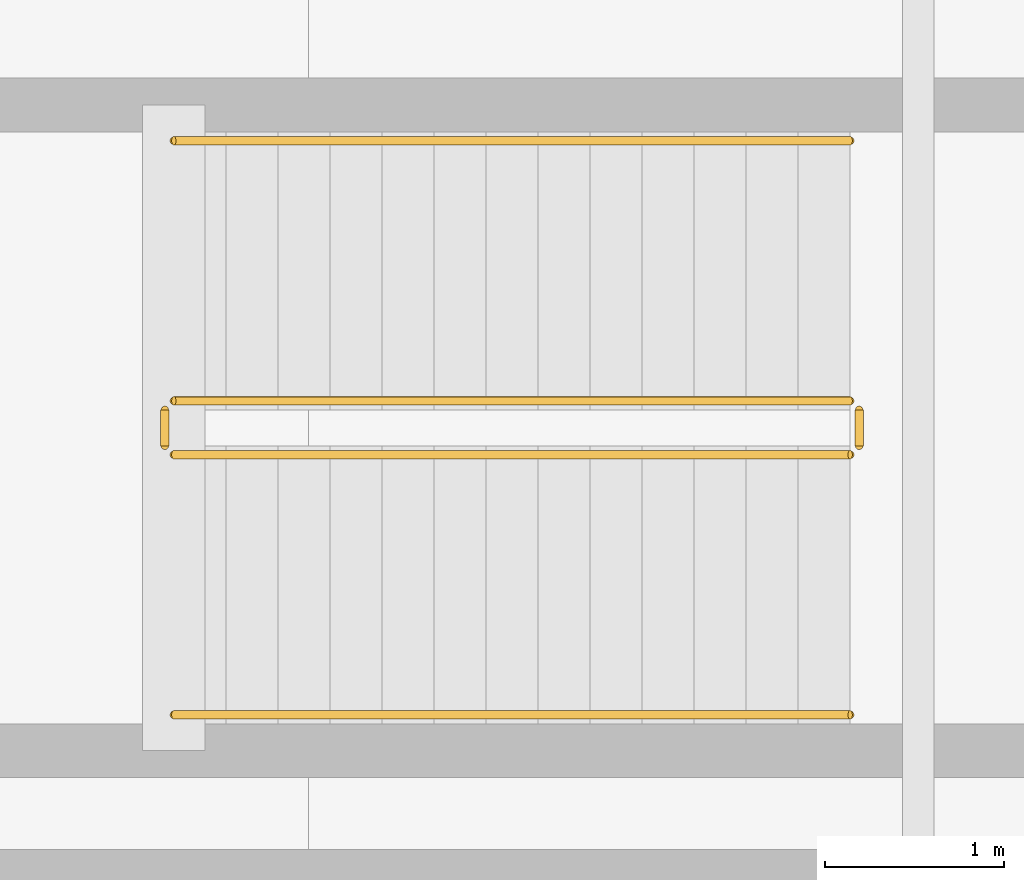
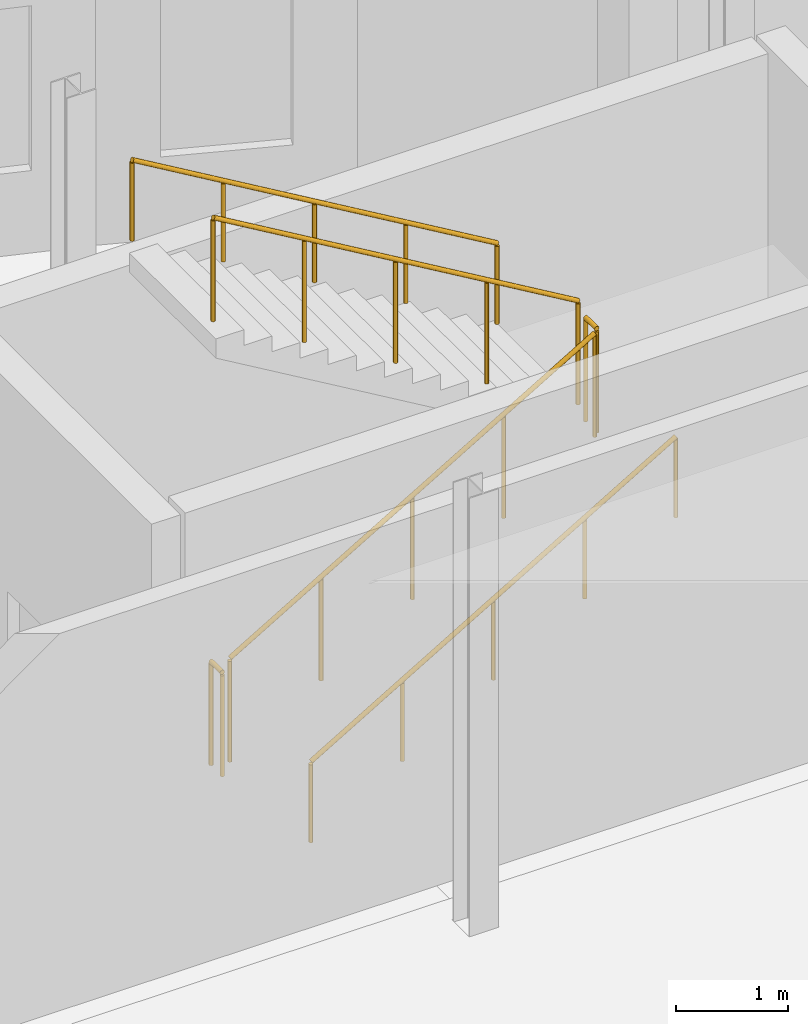
# One storey, part 87 of 97: 6 railings.
"""IFC4 building model written with IfcOpenShell, lengths in metres."""

import ifcopenshell
import ifcopenshell.guid

model = None  # the IFC model being written
_history = None  # IfcOwnerHistory: only IFC2X3 demands one
_inside = {}  # id of a spatial element -> (the spatial element, [elements in it])
_under = {}  # id of a project, library or spatial element -> (it, [spatial elements below it])
_declared = {}  # id of a project -> (the project, [libraries it declares])
_typed = {}  # id of a type object -> (the type object, [elements of that type])
_made_of = {}  # id of a material, layer set ... -> (it, [elements and type objects made of it])


def new_model(schema):
    """Start an empty IFC model of exactly this schema.

    Asked for "IFC4X3", IfcOpenShell would pick the latest addendum, in which some entities
    have other attributes; the version numbers below select the first issue.
    IFC2X3 requires an IfcOwnerHistory on every rooted entity: one is made here for all.
    """
    global model, _history
    if schema == "IFC4X3":
        model = ifcopenshell.file(schema_version=(4, 3, 0, 0))
    else:
        model = ifcopenshell.file(schema=schema)
    _inside.clear()
    _under.clear()
    _declared.clear()
    _typed.clear()
    _made_of.clear()
    _history = None
    if model.schema == "IFC2X3":
        org = make("IfcOrganization", Name="unknown")
        user = make(
            "IfcPersonAndOrganization",
            ThePerson=make("IfcPerson", FamilyName="unknown"),
            TheOrganization=org,
        )
        app = make(
            "IfcApplication",
            ApplicationDeveloper=org,
            Version="unknown",
            ApplicationFullName="unknown",
            ApplicationIdentifier="unknown",
        )
        _history = make(
            "IfcOwnerHistory",
            OwningUser=user,
            OwningApplication=app,
            ChangeAction="ADDED",
            CreationDate=0,
        )
    return model


def make(cls, **values):
    """One entity of the class cls with the attributes given. An attribute that is None is left unset."""
    return model.create_entity(
        cls, **{name: value for name, value in values.items() if value is not None}
    )


def rooted(cls, **values):
    """An entity with a GlobalId (a new one), such as an element, a storey or a relation."""
    return make(cls, GlobalId=ifcopenshell.guid.new(), OwnerHistory=_history, **values)


def si_unit(unit_type, name, prefix=None):
    """IfcSIUnit, for example si_unit("LENGTHUNIT", "METRE", prefix="MILLI")."""
    return make("IfcSIUnit", UnitType=unit_type, Prefix=prefix, Name=name)


def assignment(units):
    """IfcUnitAssignment: the units of a project."""
    return None if units is None else make("IfcUnitAssignment", Units=units)


def point(xyz):
    """IfcCartesianPoint."""
    return None if xyz is None else make("IfcCartesianPoint", Coordinates=xyz)


def direction(xyz):
    """IfcDirection."""
    return None if xyz is None else make("IfcDirection", DirectionRatios=xyz)


def frame(location, z_axis=None, x_axis=None):
    """IfcAxis2Placement3D, a coordinate frame: its origin and axes. An axis left out is left unset."""
    return make(
        "IfcAxis2Placement3D",
        Location=point(location),
        Axis=direction(z_axis),
        RefDirection=direction(x_axis),
    )


def frame_2d(location, x_axis=None):
    """IfcAxis2Placement2D, a coordinate frame in the plane: its origin and x axis."""
    return make(
        "IfcAxis2Placement2D", Location=point(location), RefDirection=direction(x_axis)
    )


def origin():
    """The frame at (0, 0, 0) with its axes left unset."""
    return frame((0.0, 0.0, 0.0))


def origin_2d():
    """The frame at (0, 0) in the plane with its x axis left unset."""
    return frame_2d((0.0, 0.0))


def place(relative_to, where):
    """IfcLocalPlacement: puts the frame where relative to a parent placement (None: the world)."""
    return make(
        "IfcLocalPlacement", PlacementRelTo=relative_to, RelativePlacement=where
    )


def context(
    kind, dimensions, precision=None, world=None, true_north=None, identifier=None
):
    """IfcGeometricRepresentationContext, for example the 3D "Model" context."""
    return make(
        "IfcGeometricRepresentationContext",
        ContextIdentifier=identifier,
        ContextType=kind,
        CoordinateSpaceDimension=dimensions,
        Precision=precision,
        WorldCoordinateSystem=world,
        TrueNorth=true_north,
    )


def subcontext(parent, identifier, kind, view, scale=None):
    """IfcGeometricRepresentationSubContext, for example "Body" below "Model"."""
    return make(
        "IfcGeometricRepresentationSubContext",
        ContextIdentifier=identifier,
        ContextType=kind,
        ParentContext=parent,
        TargetScale=scale,
        TargetView=view,
    )


def project(units=None, contexts=None):
    """IfcProject with its units and contexts."""
    return rooted(
        "IfcProject",
        Name="project",
        RepresentationContexts=contexts,
        UnitsInContext=assignment(units),
    )


def spatial(cls, under=None, at=None, **own):
    """A site, building, storey or space (cls), placed at a placement, below another one or the project."""
    s = rooted(cls, ObjectPlacement=at, **own)
    if under is not None:
        _under.setdefault(under.id(), (under, []))[1].append(s)
    return s


def profile(cls, at=None, kind="AREA", **sizes):
    """A parametric profile (cls). Its sizes go by their IFC names, for example OverallWidth=200.0."""
    return make(cls, ProfileType=kind, Position=at, **sizes)


def circle(**sizes):
    """IfcCircleProfileDef."""
    return profile("IfcCircleProfileDef", **sizes)


def extrude(swept, where, along, depth):
    """IfcExtrudedAreaSolid: the profile swept, set in the frame where, extruded along a direction by depth."""
    return make(
        "IfcExtrudedAreaSolid",
        SweptArea=swept,
        Position=where,
        ExtrudedDirection=direction(along),
        Depth=depth,
    )


def shape(context_of_items, identifier, shape_type, items):
    """IfcShapeRepresentation: the items that make up one representation, for example the "Body"."""
    return make(
        "IfcShapeRepresentation",
        ContextOfItems=context_of_items,
        RepresentationIdentifier=identifier,
        RepresentationType=shape_type,
        Items=items,
    )


def material(Name=None, Category=None):
    """IfcMaterial."""
    return make("IfcMaterial", Name=Name, Category=Category)


def made_of(thing, what):
    """Note that an element or type object is made of a material, layer set ...; save() writes the relation."""
    if what is not None:
        _made_of.setdefault(what.id(), (what, []))[1].append(thing)
    return thing


def type_object(cls, material=None, **own):
    """A type object (cls), such as IfcWallType, which elements share."""
    return made_of(rooted(cls, **own), material)


def element(
    cls,
    number,
    at=None,
    inside=None,
    cuts=None,
    type_object=None,
    material=None,
    context=None,
    identifier="Body",
    shape_type=None,
    held_by="IfcProductDefinitionShape",
    body=None,
    shapes=None,
    **own,
):
    """One element of the class cls, such as IfcWall. Its Tag is "e" and its number.

    at: its placement. inside: the storey or other place that contains it. cuts: it is an
    opening in that element (IfcRelVoidsElement). A single representation is given by context,
    identifier, shape_type and body (its items); several are given by shapes. held_by: the class
    of the entity that holds the representations. save() writes the other relations.
    """
    e = rooted(cls, Tag="e%d" % number, ObjectPlacement=at, **own)
    if body is not None:
        shapes = [shape(context, identifier, shape_type, body)]
    if shapes is not None:
        e.Representation = make(held_by, Representations=shapes)
    if inside is not None:
        _inside.setdefault(inside.id(), (inside, []))[1].append(e)
    if cuts is not None:
        rooted(
            "IfcRelVoidsElement", RelatingBuildingElement=cuts, RelatedOpeningElement=e
        )
    if type_object is not None:
        _typed.setdefault(type_object.id(), (type_object, []))[1].append(e)
    return made_of(e, material)


def aggregate(whole, parts):
    """IfcRelAggregates: a whole, such as a stair, and the parts it consists of."""
    return rooted("IfcRelAggregates", RelatingObject=whole, RelatedObjects=parts)


def save(model, path):
    """Write the relations noted so far, then the file.

    IfcRelAggregates (storeys below a building ...), IfcRelContainedInSpatialStructure (elements
    in a storey), IfcRelDefinesByType, IfcRelAssociatesMaterial and IfcRelDeclares: one each for
    every whole, place, type object, material and project.
    """
    for whole, parts in _under.values():
        aggregate(whole, parts)
    for where, things in _inside.values():
        rooted(
            "IfcRelContainedInSpatialStructure",
            RelatedElements=things,
            RelatingStructure=where,
        )
    for kind, things in _typed.values():
        rooted("IfcRelDefinesByType", RelatedObjects=things, RelatingType=kind)
    for what, things in _made_of.values():
        rooted("IfcRelAssociatesMaterial", RelatedObjects=things, RelatingMaterial=what)
    for by, libraries in _declared.values():
        rooted("IfcRelDeclares", RelatingContext=by, RelatedDefinitions=libraries)
    model.write(path)


model = new_model("IFC4")

# Units and contexts
model_context = context("Model", 3, precision=1e-05, world=origin(), true_north=direction((0.0, 1.0)))
body_context = subcontext(model_context, "Body", "Model", "MODEL_VIEW")
ifc_project = project(units=[si_unit("LENGTHUNIT", "METRE"), si_unit("AREAUNIT", "SQUARE_METRE"), si_unit("VOLUMEUNIT", "CUBIC_METRE"), si_unit("PLANEANGLEUNIT", "RADIAN"), si_unit("MASSUNIT", "GRAM", prefix="KILO")], contexts=[model_context])

# Site, building, storey
site_placement = place(None, origin())
site = spatial("IfcSite", under=ifc_project, at=site_placement, CompositionType="ELEMENT")
building_placement = place(site_placement, origin())
building = spatial("IfcBuilding", under=site, at=building_placement, Name="Kisaragi Civic Commons", CompositionType="ELEMENT")
storey_placement = place(building_placement, origin())
storey = spatial("IfcBuildingStorey", under=building, at=storey_placement, Name="L00", CompositionType="ELEMENT", Elevation=0.0)

# Railings
ifc_material = material(Name="Powder-coated architectural steel and hinoki cap rail", Category="steel")
railing_type_1 = type_object("IfcRailingType", Name="GRD-S1", PredefinedType="GUARDRAIL", material=ifc_material)
railing_1_placement = place(storey_placement, frame((40.050048828125, 107.5, 0.17138671875)))
element("IfcRailing", 1, at=railing_1_placement, inside=storey, type_object=railing_type_1, Name="L00 ST-S2 stair guard 1", PredefinedType="GUARDRAIL", context=body_context, shape_type="SweptSolid", body=[
    extrude(circle(Radius=0.02392578125, at=origin_2d()), frame((0.0, 0.0, 1.1259765625), z_axis=(0.860848830602, 0.0, 0.508860777473), x_axis=(0.0, 1.0, 0.0)), (0.0, 0.0, 1.0), 4.37939453125),
    extrude(circle(Radius=0.02099609375, at=origin_2d()), origin(), (0.0, 0.0, 1.0), 1.101806640625),
    extrude(circle(Radius=0.02099609375, at=origin_2d()), frame((0.9423828125, 0.0, 0.55712890625)), (0.0, 0.0, 1.0), 1.101806640625),
    extrude(circle(Radius=0.02099609375, at=origin_2d()), frame((1.885009765625, 0.0, 1.1142578125)), (0.0, 0.0, 1.0), 1.101806640625),
    extrude(circle(Radius=0.02099609375, at=origin_2d()), frame((2.82763671875, 0.0, 1.67138671875)), (0.0, 0.0, 1.0), 1.101806640625),
    extrude(circle(Radius=0.02099609375, at=origin_2d()), frame((3.77001953125, 0.0, 2.228515625)), (0.0, 0.0, 1.0), 1.101806640625),
])
railing_2_placement = place(storey_placement, frame((43.8701171875, 107.550048828125, 2.39990234375)))
element("IfcRailing", 2, at=railing_2_placement, inside=storey, type_object=railing_type_1, Name="L00 ST-S2 stair guard 2", PredefinedType="GUARDRAIL", context=body_context, shape_type="SweptSolid", body=[
    extrude(circle(Radius=0.02392578125, at=origin_2d()), frame((0.0, 0.0, 1.1259765625), z_axis=(0.0, 1.0, 0.0), x_axis=(-1.0, 0.0, 0.0)), (0.0, 0.0, 1.0), 0.199951171875),
    extrude(circle(Radius=0.02099609375, at=origin_2d()), origin(), (0.0, 0.0, 1.0), 1.101806640625),
    extrude(circle(Radius=0.02099609375, at=origin_2d()), frame((0.0, 0.199951171875, 0.0)), (0.0, 0.0, 1.0), 1.101806640625),
])
railing_3_placement = place(storey_placement, frame((43.820068359375, 107.800048828125, 2.571533203125)))
element("IfcRailing", 3, at=railing_3_placement, inside=storey, type_object=railing_type_1, Name="L00 ST-S2 stair guard 3", PredefinedType="GUARDRAIL", context=body_context, shape_type="SweptSolid", body=[
    extrude(circle(Radius=0.02392578125, at=origin_2d()), frame((0.0, 0.0, 1.1259765625), z_axis=(-0.860848830602, 0.0, 0.508860777473), x_axis=(0.0, -1.0, 0.0)), (0.0, 0.0, 1.0), 4.37939453125),
    extrude(circle(Radius=0.02099609375, at=origin_2d()), origin(), (0.0, 0.0, 1.0), 1.101806640625),
    extrude(circle(Radius=0.02099609375, at=origin_2d()), frame((-0.9423828125, 0.0, 0.55712890625)), (0.0, 0.0, 1.0), 1.101806640625),
    extrude(circle(Radius=0.02099609375, at=origin_2d()), frame((-1.885009765625, 0.0, 1.1142578125)), (0.0, 0.0, 1.0), 1.101806640625),
    extrude(circle(Radius=0.02099609375, at=origin_2d()), frame((-2.82763671875, 0.0, 1.67138671875)), (0.0, 0.0, 1.0), 1.101806640625),
    extrude(circle(Radius=0.02099609375, at=origin_2d()), frame((-3.77001953125, 0.0, 2.228515625)), (0.0, 0.0, 1.0), 1.101806640625),
])
railing_4_placement = place(storey_placement, frame((40.0, 107.550048828125, 0.0)))
element("IfcRailing", 4, at=railing_4_placement, inside=storey, type_object=railing_type_1, Name="L00 ST-S2 stair guard 4", PredefinedType="GUARDRAIL", context=body_context, shape_type="SweptSolid", body=[
    extrude(circle(Radius=0.02392578125, at=origin_2d()), frame((0.0, 0.0, 1.1259765625), z_axis=(0.0, 1.0, 0.0), x_axis=(-1.0, 0.0, 0.0)), (0.0, 0.0, 1.0), 0.199951171875),
    extrude(circle(Radius=0.02099609375, at=origin_2d()), origin(), (0.0, 0.0, 1.0), 1.101806640625),
    extrude(circle(Radius=0.02099609375, at=origin_2d()), frame((0.0, 0.199951171875, 0.0)), (0.0, 0.0, 1.0), 1.101806640625),
])
railing_type_2 = type_object("IfcRailingType", Name="HRL-01", PredefinedType="HANDRAIL", material=ifc_material)
railing_5_placement = place(storey_placement, frame((40.050048828125, 106.050048828125, 0.17138671875)))
element("IfcRailing", 5, at=railing_5_placement, inside=storey, type_object=railing_type_2, Name="L00 ST-S2 stair handrail 1", PredefinedType="HANDRAIL", context=body_context, shape_type="SweptSolid", body=[
    extrude(circle(Radius=0.02392578125, at=origin_2d()), frame((0.0, 0.0, 0.8759765625), z_axis=(0.860848830602, 0.0, 0.508860777473), x_axis=(0.0, 1.0, 0.0)), (0.0, 0.0, 1.0), 4.37939453125),
    extrude(circle(Radius=0.02099609375, at=origin_2d()), origin(), (0.0, 0.0, 1.0), 0.851806640625),
    extrude(circle(Radius=0.02099609375, at=origin_2d()), frame((0.9423828125, 0.0, 0.55712890625)), (0.0, 0.0, 1.0), 0.851806640625),
    extrude(circle(Radius=0.02099609375, at=origin_2d()), frame((1.885009765625, 0.0, 1.1142578125)), (0.0, 0.0, 1.0), 0.851806640625),
    extrude(circle(Radius=0.02099609375, at=origin_2d()), frame((2.82763671875, 0.0, 1.67138671875)), (0.0, 0.0, 1.0), 0.851806640625),
    extrude(circle(Radius=0.02099609375, at=origin_2d()), frame((3.77001953125, 0.0, 2.228515625)), (0.0, 0.0, 1.0), 0.851806640625),
])
railing_6_placement = place(storey_placement, frame((43.820068359375, 109.25, 2.571533203125)))
element("IfcRailing", 6, at=railing_6_placement, inside=storey, type_object=railing_type_2, Name="L00 ST-S2 stair handrail 2", PredefinedType="HANDRAIL", context=body_context, shape_type="SweptSolid", body=[
    extrude(circle(Radius=0.02392578125, at=origin_2d()), frame((0.0, 0.0, 0.8759765625), z_axis=(-0.860848830602, 0.0, 0.508860777473), x_axis=(0.0, -1.0, 0.0)), (0.0, 0.0, 1.0), 4.37939453125),
    extrude(circle(Radius=0.02099609375, at=origin_2d()), origin(), (0.0, 0.0, 1.0), 0.851806640625),
    extrude(circle(Radius=0.02099609375, at=origin_2d()), frame((-0.9423828125, 0.0, 0.55712890625)), (0.0, 0.0, 1.0), 0.851806640625),
    extrude(circle(Radius=0.02099609375, at=origin_2d()), frame((-1.885009765625, 0.0, 1.1142578125)), (0.0, 0.0, 1.0), 0.851806640625),
    extrude(circle(Radius=0.02099609375, at=origin_2d()), frame((-2.82763671875, 0.0, 1.67138671875)), (0.0, 0.0, 1.0), 0.851806640625),
    extrude(circle(Radius=0.02099609375, at=origin_2d()), frame((-3.77001953125, 0.0, 2.228515625)), (0.0, 0.0, 1.0), 0.851806640625),
])

save(model, "model.ifc")
